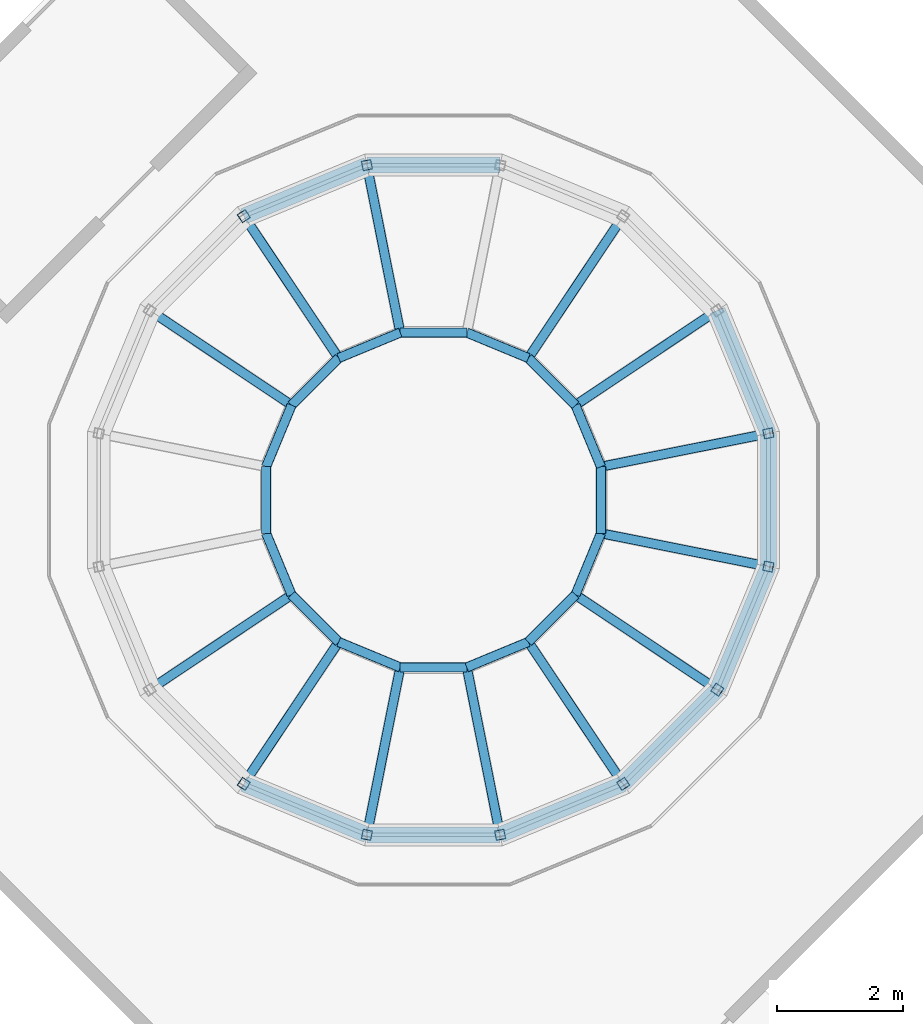
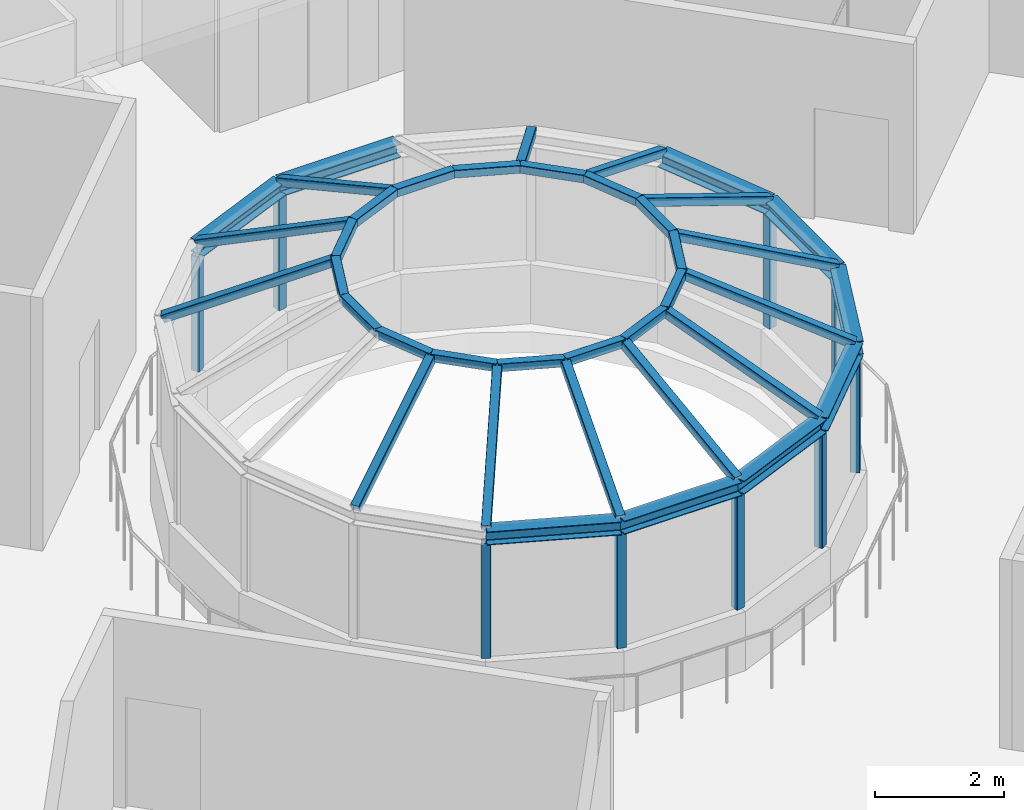
# One storey, part 8 of 32: 47 members, 16 elements without a shape of their own.
"""IFC4 building model written with IfcOpenShell, lengths in metres."""

from ifc_helpers import new_model, si_unit, direction, frame, origin, origin_2d, place, context, subcontext, project, spatial, hollow_rectangle, i_section, extrude, material, layer, layer_set, material_profile, profile_set, type_object, element, aggregate, save


model = new_model("IFC4")

# Units and contexts
model_context = context("Model", 3, precision=1e-05, world=origin(), true_north=direction((0.0, 1.0)))
body_context = subcontext(model_context, "Body", "Model", "MODEL_VIEW")
ifc_project = project(units=[si_unit("LENGTHUNIT", "METRE"), si_unit("AREAUNIT", "SQUARE_METRE"), si_unit("VOLUMEUNIT", "CUBIC_METRE"), si_unit("PLANEANGLEUNIT", "RADIAN"), si_unit("MASSUNIT", "GRAM", prefix="KILO")], contexts=[model_context])

# Site, building, storey
site_placement = place(None, origin())
site = spatial("IfcSite", under=ifc_project, at=site_placement, CompositionType="ELEMENT")
building_placement = place(site_placement, origin())
building = spatial("IfcBuilding", under=site, at=building_placement, Name="Verdalira Terraces Hotel", CompositionType="ELEMENT")
storey_placement = place(building_placement, frame((0.0, 0.0, 315.0)))
storey = spatial("IfcBuildingStorey", under=building, at=storey_placement, Name="L78", CompositionType="ELEMENT", Elevation=315.0)

# Curtain wall, member
ifc_material_1 = material(Name="Clear laminated glass", Category="glass")
ifc_layer = layer(ifc_material_1, 0.14990234375)
ifc_layer_set = layer_set([ifc_layer], Name="Atrium lantern curtain wall")
curtain_wall_type = type_object("IfcCurtainWallType", Name="Atrium lantern curtain wall", PredefinedType="NOTDEFINED", material=ifc_layer_set)
curtain_wall_1_placement = place(storey_placement, origin())
curtain_wall_1 = element("IfcCurtainWall", 1, at=curtain_wall_1_placement, inside=storey, type_object=curtain_wall_type, Name="Atrium lantern curtain wall facet 1", PredefinedType="NOTDEFINED")
ifc_material_2 = material(Name="Steel ASTM A500 Grade C", Category="steel")
ifc_material_profile_1 = material_profile(ifc_material_2, hollow_rectangle(XDim=0.15234375, YDim=0.15234375, WallThickness=0.005859375, InnerFilletRadius=0.0029296875, OuterFilletRadius=0.0087890625, at=origin_2d()), Name="HSS6X6X1/4")
ifc_profile_set_1 = profile_set([ifc_material_profile_1], Name="Steel ASTM A500 Grade C")
member_type_1 = type_object("IfcMemberType", Name="Lantern apex ring HSS6X6X1/4", PredefinedType="USERDEFINED", material=ifc_profile_set_1)
member_1_placement = place(storey_placement, frame((2.648193, 0.526611, 4.740234), z_axis=(-0.38259057, 0.923917992, 0.0), x_axis=(-0.923917992, -0.38259057, 0.0)))
member_1 = element("IfcMember", 2, at=member_1_placement, type_object=member_type_1, Name="Lantern apex ring LA01", ObjectType="TRANSOM", PredefinedType="USERDEFINED", context=body_context, shape_type="SweptSolid", body=[
    extrude(hollow_rectangle(XDim=0.15234375, YDim=0.15234375, WallThickness=0.005859375, InnerFilletRadius=0.0029296875, OuterFilletRadius=0.0087890625, at=origin_2d()), origin(), (0.0, 0.0, 1.0), 1.053467),
])

curtain_wall_2_placement = place(storey_placement, origin())
curtain_wall_2 = element("IfcCurtainWall", 3, at=curtain_wall_2_placement, inside=storey, type_object=curtain_wall_type, Name="Atrium lantern curtain wall facet 2", PredefinedType="NOTDEFINED")
member_2_placement = place(storey_placement, frame((2.245117, 1.5, 4.740234), z_axis=(-0.707106781, 0.707106781, 0.0), x_axis=(-0.707106781, -0.707106781, 0.0)))
member_2 = element("IfcMember", 4, at=member_2_placement, type_object=member_type_1, Name="Lantern apex ring LA02", ObjectType="TRANSOM", PredefinedType="USERDEFINED", context=body_context, shape_type="SweptSolid", body=[
    extrude(hollow_rectangle(XDim=0.15234375, YDim=0.15234375, WallThickness=0.005859375, InnerFilletRadius=0.0029296875, OuterFilletRadius=0.0087890625, at=origin_2d()), origin(), (0.0, 0.0, 1.0), 1.053711),
])

curtain_wall_3_placement = place(storey_placement, origin())
curtain_wall_3 = element("IfcCurtainWall", 5, at=curtain_wall_3_placement, inside=storey, type_object=curtain_wall_type, Name="Atrium lantern curtain wall facet 3", PredefinedType="NOTDEFINED")
member_3_placement = place(storey_placement, frame((1.5, 2.245117, 4.740234), z_axis=(-0.923917992, 0.38259057, 0.0), x_axis=(-0.38259057, -0.923917992, 0.0)))
member_3 = element("IfcMember", 6, at=member_3_placement, type_object=member_type_1, Name="Lantern apex ring LA03", ObjectType="TRANSOM", PredefinedType="USERDEFINED", context=body_context, shape_type="SweptSolid", body=[
    extrude(hollow_rectangle(XDim=0.15234375, YDim=0.15234375, WallThickness=0.005859375, InnerFilletRadius=0.0029296875, OuterFilletRadius=0.0087890625, at=origin_2d()), origin(), (0.0, 0.0, 1.0), 1.053467),
])

curtain_wall_4_placement = place(storey_placement, origin())
curtain_wall_4 = element("IfcCurtainWall", 7, at=curtain_wall_4_placement, inside=storey, type_object=curtain_wall_type, Name="Atrium lantern curtain wall facet 4", PredefinedType="NOTDEFINED")
member_4_placement = place(storey_placement, frame((0.526611, 2.648193, 4.740234), z_axis=(-1.0, 0.0, 0.0), x_axis=(0.0, -1.0, 0.0)))
member_4 = element("IfcMember", 8, at=member_4_placement, type_object=member_type_1, Name="Lantern apex ring LA04", ObjectType="TRANSOM", PredefinedType="USERDEFINED", context=body_context, shape_type="SweptSolid", body=[
    extrude(hollow_rectangle(XDim=0.15234375, YDim=0.15234375, WallThickness=0.005859375, InnerFilletRadius=0.0029296875, OuterFilletRadius=0.0087890625, at=origin_2d()), origin(), (0.0, 0.0, 1.0), 1.053223),
])

curtain_wall_5_placement = place(storey_placement, origin())
curtain_wall_5 = element("IfcCurtainWall", 9, at=curtain_wall_5_placement, inside=storey, type_object=curtain_wall_type, Name="Atrium lantern curtain wall facet 5", PredefinedType="NOTDEFINED")
member_5_placement = place(storey_placement, frame((-0.526611, 2.648193, 4.740234), z_axis=(-0.923917992, -0.38259057, 0.0), x_axis=(0.38259057, -0.923917992, 0.0)))
member_5 = element("IfcMember", 10, at=member_5_placement, type_object=member_type_1, Name="Lantern apex ring LA05", ObjectType="TRANSOM", PredefinedType="USERDEFINED", context=body_context, shape_type="SweptSolid", body=[
    extrude(hollow_rectangle(XDim=0.15234375, YDim=0.15234375, WallThickness=0.005859375, InnerFilletRadius=0.0029296875, OuterFilletRadius=0.0087890625, at=origin_2d()), origin(), (0.0, 0.0, 1.0), 1.053467),
])

curtain_wall_6_placement = place(storey_placement, origin())
curtain_wall_6 = element("IfcCurtainWall", 11, at=curtain_wall_6_placement, inside=storey, type_object=curtain_wall_type, Name="Atrium lantern curtain wall facet 6", PredefinedType="NOTDEFINED")
member_6_placement = place(storey_placement, frame((-1.5, 2.245117, 4.740234), z_axis=(-0.707106781, -0.707106781, 0.0), x_axis=(0.707106781, -0.707106781, 0.0)))
member_6 = element("IfcMember", 12, at=member_6_placement, type_object=member_type_1, Name="Lantern apex ring LA06", ObjectType="TRANSOM", PredefinedType="USERDEFINED", context=body_context, shape_type="SweptSolid", body=[
    extrude(hollow_rectangle(XDim=0.15234375, YDim=0.15234375, WallThickness=0.005859375, InnerFilletRadius=0.0029296875, OuterFilletRadius=0.0087890625, at=origin_2d()), origin(), (0.0, 0.0, 1.0), 1.053711),
])

curtain_wall_7_placement = place(storey_placement, origin())
curtain_wall_7 = element("IfcCurtainWall", 13, at=curtain_wall_7_placement, inside=storey, type_object=curtain_wall_type, Name="Atrium lantern curtain wall facet 7", PredefinedType="NOTDEFINED")
member_7_placement = place(storey_placement, frame((-2.245117, 1.5, 4.740234), z_axis=(-0.38259057, -0.923917992, 0.0), x_axis=(0.923917992, -0.38259057, 0.0)))
member_7 = element("IfcMember", 14, at=member_7_placement, type_object=member_type_1, Name="Lantern apex ring LA07", ObjectType="TRANSOM", PredefinedType="USERDEFINED", context=body_context, shape_type="SweptSolid", body=[
    extrude(hollow_rectangle(XDim=0.15234375, YDim=0.15234375, WallThickness=0.005859375, InnerFilletRadius=0.0029296875, OuterFilletRadius=0.0087890625, at=origin_2d()), origin(), (0.0, 0.0, 1.0), 1.053467),
])

curtain_wall_8_placement = place(storey_placement, origin())
curtain_wall_8 = element("IfcCurtainWall", 15, at=curtain_wall_8_placement, inside=storey, type_object=curtain_wall_type, Name="Atrium lantern curtain wall facet 8", PredefinedType="NOTDEFINED")
member_8_placement = place(storey_placement, frame((-2.648193, 0.526611, 4.740234), z_axis=(0.0, -1.0, 0.0), x_axis=(1.0, 0.0, 0.0)))
member_8 = element("IfcMember", 16, at=member_8_placement, type_object=member_type_1, Name="Lantern apex ring LA08", ObjectType="TRANSOM", PredefinedType="USERDEFINED", context=body_context, shape_type="SweptSolid", body=[
    extrude(hollow_rectangle(XDim=0.15234375, YDim=0.15234375, WallThickness=0.005859375, InnerFilletRadius=0.0029296875, OuterFilletRadius=0.0087890625, at=origin_2d()), origin(), (0.0, 0.0, 1.0), 1.053223),
])
aggregate(curtain_wall_8, [member_8])

curtain_wall_9_placement = place(storey_placement, origin())
curtain_wall_9 = element("IfcCurtainWall", 17, at=curtain_wall_9_placement, inside=storey, type_object=curtain_wall_type, Name="Atrium lantern curtain wall facet 9", PredefinedType="NOTDEFINED")
member_9_placement = place(storey_placement, frame((-2.648193, -0.526611, 4.740234), z_axis=(0.38259057, -0.923917992, 0.0), x_axis=(0.923917992, 0.38259057, 0.0)))
member_9 = element("IfcMember", 18, at=member_9_placement, type_object=member_type_1, Name="Lantern apex ring LA09", ObjectType="TRANSOM", PredefinedType="USERDEFINED", context=body_context, shape_type="SweptSolid", body=[
    extrude(hollow_rectangle(XDim=0.15234375, YDim=0.15234375, WallThickness=0.005859375, InnerFilletRadius=0.0029296875, OuterFilletRadius=0.0087890625, at=origin_2d()), origin(), (0.0, 0.0, 1.0), 1.053467),
])
aggregate(curtain_wall_9, [member_9])

curtain_wall_10_placement = place(storey_placement, origin())
curtain_wall_10 = element("IfcCurtainWall", 19, at=curtain_wall_10_placement, inside=storey, type_object=curtain_wall_type, Name="Atrium lantern curtain wall facet 10", PredefinedType="NOTDEFINED")
member_10_placement = place(storey_placement, frame((-2.245117, -1.5, 4.740234), z_axis=(0.707106781, -0.707106781, 0.0), x_axis=(0.707106781, 0.707106781, 0.0)))
member_10 = element("IfcMember", 20, at=member_10_placement, type_object=member_type_1, Name="Lantern apex ring LA10", ObjectType="TRANSOM", PredefinedType="USERDEFINED", context=body_context, shape_type="SweptSolid", body=[
    extrude(hollow_rectangle(XDim=0.15234375, YDim=0.15234375, WallThickness=0.005859375, InnerFilletRadius=0.0029296875, OuterFilletRadius=0.0087890625, at=origin_2d()), origin(), (0.0, 0.0, 1.0), 1.053711),
])

curtain_wall_11_placement = place(storey_placement, origin())
curtain_wall_11 = element("IfcCurtainWall", 21, at=curtain_wall_11_placement, inside=storey, type_object=curtain_wall_type, Name="Atrium lantern curtain wall facet 11", PredefinedType="NOTDEFINED")
member_11_placement = place(storey_placement, frame((-1.5, -2.245117, 4.740234), z_axis=(0.923917992, -0.38259057, 0.0), x_axis=(0.38259057, 0.923917992, 0.0)))
member_11 = element("IfcMember", 22, at=member_11_placement, type_object=member_type_1, Name="Lantern apex ring LA11", ObjectType="TRANSOM", PredefinedType="USERDEFINED", context=body_context, shape_type="SweptSolid", body=[
    extrude(hollow_rectangle(XDim=0.15234375, YDim=0.15234375, WallThickness=0.005859375, InnerFilletRadius=0.0029296875, OuterFilletRadius=0.0087890625, at=origin_2d()), origin(), (0.0, 0.0, 1.0), 1.053467),
])

curtain_wall_12_placement = place(storey_placement, origin())
curtain_wall_12 = element("IfcCurtainWall", 23, at=curtain_wall_12_placement, inside=storey, type_object=curtain_wall_type, Name="Atrium lantern curtain wall facet 12", PredefinedType="NOTDEFINED")
member_12_placement = place(storey_placement, frame((-0.526611, -2.648193, 4.740234), z_axis=(1.0, 0.0, 0.0), x_axis=(0.0, 1.0, 0.0)))
member_12 = element("IfcMember", 24, at=member_12_placement, type_object=member_type_1, Name="Lantern apex ring LA12", ObjectType="TRANSOM", PredefinedType="USERDEFINED", context=body_context, shape_type="SweptSolid", body=[
    extrude(hollow_rectangle(XDim=0.15234375, YDim=0.15234375, WallThickness=0.005859375, InnerFilletRadius=0.0029296875, OuterFilletRadius=0.0087890625, at=origin_2d()), origin(), (0.0, 0.0, 1.0), 1.053223),
])

curtain_wall_13_placement = place(storey_placement, origin())
curtain_wall_13 = element("IfcCurtainWall", 25, at=curtain_wall_13_placement, inside=storey, type_object=curtain_wall_type, Name="Atrium lantern curtain wall facet 13", PredefinedType="NOTDEFINED")
member_13_placement = place(storey_placement, frame((0.526611, -2.648193, 4.740234), z_axis=(0.923917992, 0.38259057, 0.0), x_axis=(-0.38259057, 0.923917992, 0.0)))
member_13 = element("IfcMember", 26, at=member_13_placement, type_object=member_type_1, Name="Lantern apex ring LA13", ObjectType="TRANSOM", PredefinedType="USERDEFINED", context=body_context, shape_type="SweptSolid", body=[
    extrude(hollow_rectangle(XDim=0.15234375, YDim=0.15234375, WallThickness=0.005859375, InnerFilletRadius=0.0029296875, OuterFilletRadius=0.0087890625, at=origin_2d()), origin(), (0.0, 0.0, 1.0), 1.053467),
])

curtain_wall_14_placement = place(storey_placement, origin())
curtain_wall_14 = element("IfcCurtainWall", 27, at=curtain_wall_14_placement, inside=storey, type_object=curtain_wall_type, Name="Atrium lantern curtain wall facet 14", PredefinedType="NOTDEFINED")
member_14_placement = place(storey_placement, frame((1.5, -2.245117, 4.740234), z_axis=(0.707106781, 0.707106781, 0.0), x_axis=(-0.707106781, 0.707106781, 0.0)))
member_14 = element("IfcMember", 28, at=member_14_placement, type_object=member_type_1, Name="Lantern apex ring LA14", ObjectType="TRANSOM", PredefinedType="USERDEFINED", context=body_context, shape_type="SweptSolid", body=[
    extrude(hollow_rectangle(XDim=0.15234375, YDim=0.15234375, WallThickness=0.005859375, InnerFilletRadius=0.0029296875, OuterFilletRadius=0.0087890625, at=origin_2d()), origin(), (0.0, 0.0, 1.0), 1.053711),
])

curtain_wall_15_placement = place(storey_placement, origin())
curtain_wall_15 = element("IfcCurtainWall", 29, at=curtain_wall_15_placement, inside=storey, type_object=curtain_wall_type, Name="Atrium lantern curtain wall facet 15", PredefinedType="NOTDEFINED")
member_15_placement = place(storey_placement, frame((2.245117, -1.5, 4.740234), z_axis=(0.38259057, 0.923917992, 0.0), x_axis=(-0.923917992, 0.38259057, 0.0)))
member_15 = element("IfcMember", 30, at=member_15_placement, type_object=member_type_1, Name="Lantern apex ring LA15", ObjectType="TRANSOM", PredefinedType="USERDEFINED", context=body_context, shape_type="SweptSolid", body=[
    extrude(hollow_rectangle(XDim=0.15234375, YDim=0.15234375, WallThickness=0.005859375, InnerFilletRadius=0.0029296875, OuterFilletRadius=0.0087890625, at=origin_2d()), origin(), (0.0, 0.0, 1.0), 1.053467),
])

curtain_wall_16_placement = place(storey_placement, origin())
curtain_wall_16 = element("IfcCurtainWall", 31, at=curtain_wall_16_placement, inside=storey, type_object=curtain_wall_type, Name="Atrium lantern curtain wall facet 16", PredefinedType="NOTDEFINED")
member_16_placement = place(storey_placement, frame((2.648193, -0.526611, 4.740234), z_axis=(0.0, 1.0, 0.0), x_axis=(-1.0, 0.0, 0.0)))
member_16 = element("IfcMember", 32, at=member_16_placement, type_object=member_type_1, Name="Lantern apex ring LA16", ObjectType="TRANSOM", PredefinedType="USERDEFINED", context=body_context, shape_type="SweptSolid", body=[
    extrude(hollow_rectangle(XDim=0.15234375, YDim=0.15234375, WallThickness=0.005859375, InnerFilletRadius=0.0029296875, OuterFilletRadius=0.0087890625, at=origin_2d()), origin(), (0.0, 0.0, 1.0), 1.053223),
])

# Member
ifc_material_3 = material(Name="Steel ASTM A992 Grade 50", Category="steel")
ifc_material_profile_2 = material_profile(ifc_material_3, i_section(OverallWidth=0.253906, OverallDepth=0.253906, WebThickness=0.008545, FlangeThickness=0.01416, FilletRadius=0.012695, at=origin_2d()), Name="W10X49")
ifc_profile_set_2 = profile_set([ifc_material_profile_2], Name="Steel ASTM A992 Grade 50")
member_type_2 = type_object("IfcMemberType", Name="Lantern head transom W10X49", PredefinedType="USERDEFINED", material=ifc_profile_set_2)
member_17_placement = place(storey_placement, frame((5.296143, 1.053467, 3.427002), z_axis=(-0.382631531, 0.923901029, 0.0), x_axis=(-0.923901029, -0.382631531, 0.0)))
member_17 = element("IfcMember", 33, at=member_17_placement, type_object=member_type_2, Name="Lantern head transom LR01", ObjectType="TRANSOM", PredefinedType="USERDEFINED", context=body_context, shape_type="SweptSolid", body=[
    extrude(i_section(OverallWidth=0.253906, OverallDepth=0.253906, WebThickness=0.008545, FlangeThickness=0.01416, FilletRadius=0.012695, at=origin_2d()), origin(), (0.0, 0.0, 1.0), 2.106934),
])

member_18_placement = place(storey_placement, frame((1.053467, 5.296143, 3.427002), z_axis=(-1.0, 0.0, 0.0), x_axis=(0.0, -1.0, 0.0)))
member_18 = element("IfcMember", 34, at=member_18_placement, type_object=member_type_2, Name="Lantern head transom LR04", ObjectType="TRANSOM", PredefinedType="USERDEFINED", context=body_context, shape_type="SweptSolid", body=[
    extrude(i_section(OverallWidth=0.253906, OverallDepth=0.253906, WebThickness=0.008545, FlangeThickness=0.01416, FilletRadius=0.012695, at=origin_2d()), origin(), (0.0, 0.0, 1.0), 2.106934),
])

aggregate(curtain_wall_4, [member_18, member_4])

member_19_placement = place(storey_placement, frame((-1.053467, 5.296143, 3.427002), z_axis=(-0.923901029, -0.382631531, 0.0), x_axis=(0.382631531, -0.923901029, 0.0)))
member_19 = element("IfcMember", 35, at=member_19_placement, type_object=member_type_2, Name="Lantern head transom LR05", ObjectType="TRANSOM", PredefinedType="USERDEFINED", context=body_context, shape_type="SweptSolid", body=[
    extrude(i_section(OverallWidth=0.253906, OverallDepth=0.253906, WebThickness=0.008545, FlangeThickness=0.01416, FilletRadius=0.012695, at=origin_2d()), origin(), (0.0, 0.0, 1.0), 2.106934),
])

member_20_placement = place(storey_placement, frame((-3.0, -4.48999, 3.427002), z_axis=(0.923901029, -0.382631531, 0.0), x_axis=(0.382631531, 0.923901029, 0.0)))
member_20 = element("IfcMember", 36, at=member_20_placement, type_object=member_type_2, Name="Lantern head transom LR11", ObjectType="TRANSOM", PredefinedType="USERDEFINED", context=body_context, shape_type="SweptSolid", body=[
    extrude(i_section(OverallWidth=0.253906, OverallDepth=0.253906, WebThickness=0.008545, FlangeThickness=0.01416, FilletRadius=0.012695, at=origin_2d()), origin(), (0.0, 0.0, 1.0), 2.106934),
])

member_21_placement = place(storey_placement, frame((-1.053467, -5.296143, 3.427002), z_axis=(1.0, 0.0, 0.0), x_axis=(0.0, 1.0, 0.0)))
member_21 = element("IfcMember", 37, at=member_21_placement, type_object=member_type_2, Name="Lantern head transom LR12", ObjectType="TRANSOM", PredefinedType="USERDEFINED", context=body_context, shape_type="SweptSolid", body=[
    extrude(i_section(OverallWidth=0.253906, OverallDepth=0.253906, WebThickness=0.008545, FlangeThickness=0.01416, FilletRadius=0.012695, at=origin_2d()), origin(), (0.0, 0.0, 1.0), 2.106934),
])

member_22_placement = place(storey_placement, frame((1.053467, -5.296143, 3.427002), z_axis=(0.923901029, 0.382631531, 0.0), x_axis=(-0.382631531, 0.923901029, 0.0)))
member_22 = element("IfcMember", 38, at=member_22_placement, type_object=member_type_2, Name="Lantern head transom LR13", ObjectType="TRANSOM", PredefinedType="USERDEFINED", context=body_context, shape_type="SweptSolid", body=[
    extrude(i_section(OverallWidth=0.253906, OverallDepth=0.253906, WebThickness=0.008545, FlangeThickness=0.01416, FilletRadius=0.012695, at=origin_2d()), origin(), (0.0, 0.0, 1.0), 2.106934),
])

member_23_placement = place(storey_placement, frame((3.0, -4.48999, 3.427002), z_axis=(0.707106781, 0.707106781, 0.0), x_axis=(-0.707106781, 0.707106781, 0.0)))
member_23 = element("IfcMember", 39, at=member_23_placement, type_object=member_type_2, Name="Lantern head transom LR14", ObjectType="TRANSOM", PredefinedType="USERDEFINED", context=body_context, shape_type="SweptSolid", body=[
    extrude(i_section(OverallWidth=0.253906, OverallDepth=0.253906, WebThickness=0.008545, FlangeThickness=0.01416, FilletRadius=0.012695, at=origin_2d()), origin(), (0.0, 0.0, 1.0), 2.107178),
])

member_24_placement = place(storey_placement, frame((4.48999, -3.0, 3.427002), z_axis=(0.382631531, 0.923901029, 0.0), x_axis=(-0.923901029, 0.382631531, 0.0)))
member_24 = element("IfcMember", 40, at=member_24_placement, type_object=member_type_2, Name="Lantern head transom LR15", ObjectType="TRANSOM", PredefinedType="USERDEFINED", context=body_context, shape_type="SweptSolid", body=[
    extrude(i_section(OverallWidth=0.253906, OverallDepth=0.253906, WebThickness=0.008545, FlangeThickness=0.01416, FilletRadius=0.012695, at=origin_2d()), origin(), (0.0, 0.0, 1.0), 2.106934),
])

member_25_placement = place(storey_placement, frame((5.296143, -1.053467, 3.427002), z_axis=(0.0, 1.0, 0.0), x_axis=(-1.0, 0.0, 0.0)))
member_25 = element("IfcMember", 41, at=member_25_placement, type_object=member_type_2, Name="Lantern head transom LR16", ObjectType="TRANSOM", PredefinedType="USERDEFINED", context=body_context, shape_type="SweptSolid", body=[
    extrude(i_section(OverallWidth=0.253906, OverallDepth=0.253906, WebThickness=0.008545, FlangeThickness=0.01416, FilletRadius=0.012695, at=origin_2d()), origin(), (0.0, 0.0, 1.0), 2.106934),
])

ifc_material_4 = material(Name="Steel ASTM A500 Grade C", Category="steel")
ifc_material_profile_3 = material_profile(ifc_material_4, hollow_rectangle(XDim=0.15234375, YDim=0.15234375, WallThickness=0.005859375, InnerFilletRadius=0.0029296875, OuterFilletRadius=0.0087890625, at=origin_2d()), Name="HSS6X6X1/4")
ifc_profile_set_3 = profile_set([ifc_material_profile_3], Name="Steel ASTM A500 Grade C")
member_type_3 = type_object("IfcMemberType", Name="Lantern hip bar HSS6X6X1/4", PredefinedType="USERDEFINED", material=ifc_profile_set_3)
member_26_placement = place(storey_placement, frame((5.2854, 1.051514, 3.531494), z_axis=(-0.894537287, -0.178046211, 0.410003158), x_axis=(0.195208106, -0.980761844, 0.0)))
member_26 = element("IfcMember", 42, at=member_26_placement, type_object=member_type_3, Name="Lantern hip bar LH01", ObjectType="GLAZING BAR", PredefinedType="USERDEFINED", context=body_context, shape_type="SweptSolid", body=[
    extrude(hollow_rectangle(XDim=0.15234375, YDim=0.15234375, WallThickness=0.005859375, InnerFilletRadius=0.0029296875, OuterFilletRadius=0.0087890625, at=origin_2d()), origin(), (0.0, 0.0, 1.0), 2.948242),
])

member_27_placement = place(storey_placement, frame((4.480713, 2.993896, 3.531494), z_axis=(-0.758344762, -0.506750202, 0.410021286), x_axis=(0.555600879, -0.831449134, 0.0)))
member_27 = element("IfcMember", 43, at=member_27_placement, type_object=member_type_3, Name="Lantern hip bar LH02", ObjectType="GLAZING BAR", PredefinedType="USERDEFINED", context=body_context, shape_type="SweptSolid", body=[
    extrude(hollow_rectangle(XDim=0.15234375, YDim=0.15234375, WallThickness=0.005859375, InnerFilletRadius=0.0029296875, OuterFilletRadius=0.0087890625, at=origin_2d()), origin(), (0.0, 0.0, 1.0), 2.947998),
])

aggregate(curtain_wall_2, [member_27, member_2])

member_28_placement = place(storey_placement, frame((2.993896, 4.480713, 3.531494), z_axis=(-0.506750202, -0.758344762, 0.410021286), x_axis=(0.831449134, -0.555600879, 0.0)))
member_28 = element("IfcMember", 44, at=member_28_placement, type_object=member_type_3, Name="Lantern hip bar LH03", ObjectType="GLAZING BAR", PredefinedType="USERDEFINED", context=body_context, shape_type="SweptSolid", body=[
    extrude(hollow_rectangle(XDim=0.15234375, YDim=0.15234375, WallThickness=0.005859375, InnerFilletRadius=0.0029296875, OuterFilletRadius=0.0087890625, at=origin_2d()), origin(), (0.0, 0.0, 1.0), 2.947998),
])

aggregate(curtain_wall_3, [member_28, member_3])

member_29_placement = place(storey_placement, frame((-1.051514, 5.2854, 3.531494), z_axis=(0.178046211, -0.894537287, 0.410003158), x_axis=(0.980761844, 0.195208106, 0.0)))
member_29 = element("IfcMember", 45, at=member_29_placement, type_object=member_type_3, Name="Lantern hip bar LH05", ObjectType="GLAZING BAR", PredefinedType="USERDEFINED", context=body_context, shape_type="SweptSolid", body=[
    extrude(hollow_rectangle(XDim=0.15234375, YDim=0.15234375, WallThickness=0.005859375, InnerFilletRadius=0.0029296875, OuterFilletRadius=0.0087890625, at=origin_2d()), origin(), (0.0, 0.0, 1.0), 2.948242),
])

member_30_placement = place(storey_placement, frame((-2.993896, 4.480713, 3.531494), z_axis=(0.506750202, -0.758344762, 0.410021286), x_axis=(0.831449134, 0.555600879, 0.0)))
member_30 = element("IfcMember", 46, at=member_30_placement, type_object=member_type_3, Name="Lantern hip bar LH06", ObjectType="GLAZING BAR", PredefinedType="USERDEFINED", context=body_context, shape_type="SweptSolid", body=[
    extrude(hollow_rectangle(XDim=0.15234375, YDim=0.15234375, WallThickness=0.005859375, InnerFilletRadius=0.0029296875, OuterFilletRadius=0.0087890625, at=origin_2d()), origin(), (0.0, 0.0, 1.0), 2.947998),
])

member_31_placement = place(storey_placement, frame((-4.480713, 2.993896, 3.531494), z_axis=(0.758344762, -0.506750202, 0.410021286), x_axis=(0.555600879, 0.831449134, 0.0)))
member_31 = element("IfcMember", 47, at=member_31_placement, type_object=member_type_3, Name="Lantern hip bar LH07", ObjectType="GLAZING BAR", PredefinedType="USERDEFINED", context=body_context, shape_type="SweptSolid", body=[
    extrude(hollow_rectangle(XDim=0.15234375, YDim=0.15234375, WallThickness=0.005859375, InnerFilletRadius=0.0029296875, OuterFilletRadius=0.0087890625, at=origin_2d()), origin(), (0.0, 0.0, 1.0), 2.947998),
])

aggregate(curtain_wall_7, [member_31, member_7])

member_32_placement = place(storey_placement, frame((-4.480713, -2.993896, 3.531494), z_axis=(0.758344762, 0.506750202, 0.410021286), x_axis=(-0.555600879, 0.831449134, 0.0)))
member_32 = element("IfcMember", 48, at=member_32_placement, type_object=member_type_3, Name="Lantern hip bar LH10", ObjectType="GLAZING BAR", PredefinedType="USERDEFINED", context=body_context, shape_type="SweptSolid", body=[
    extrude(hollow_rectangle(XDim=0.15234375, YDim=0.15234375, WallThickness=0.005859375, InnerFilletRadius=0.0029296875, OuterFilletRadius=0.0087890625, at=origin_2d()), origin(), (0.0, 0.0, 1.0), 2.947998),
])

aggregate(curtain_wall_10, [member_32, member_10])

member_33_placement = place(storey_placement, frame((-2.993896, -4.480713, 3.531494), z_axis=(0.506750202, 0.758344762, 0.410021286), x_axis=(-0.831449134, 0.555600879, 0.0)))
member_33 = element("IfcMember", 49, at=member_33_placement, type_object=member_type_3, Name="Lantern hip bar LH11", ObjectType="GLAZING BAR", PredefinedType="USERDEFINED", context=body_context, shape_type="SweptSolid", body=[
    extrude(hollow_rectangle(XDim=0.15234375, YDim=0.15234375, WallThickness=0.005859375, InnerFilletRadius=0.0029296875, OuterFilletRadius=0.0087890625, at=origin_2d()), origin(), (0.0, 0.0, 1.0), 2.947998),
])

member_34_placement = place(storey_placement, frame((-1.051514, -5.2854, 3.531494), z_axis=(0.178046211, 0.894537287, 0.410003158), x_axis=(-0.980761844, 0.195208106, 0.0)))
member_34 = element("IfcMember", 50, at=member_34_placement, type_object=member_type_3, Name="Lantern hip bar LH12", ObjectType="GLAZING BAR", PredefinedType="USERDEFINED", context=body_context, shape_type="SweptSolid", body=[
    extrude(hollow_rectangle(XDim=0.15234375, YDim=0.15234375, WallThickness=0.005859375, InnerFilletRadius=0.0029296875, OuterFilletRadius=0.0087890625, at=origin_2d()), origin(), (0.0, 0.0, 1.0), 2.948242),
])

member_35_placement = place(storey_placement, frame((1.051514, -5.2854, 3.531494), z_axis=(-0.178046211, 0.894537287, 0.410003158), x_axis=(-0.980761844, -0.195208106, 0.0)))
member_35 = element("IfcMember", 51, at=member_35_placement, type_object=member_type_3, Name="Lantern hip bar LH13", ObjectType="GLAZING BAR", PredefinedType="USERDEFINED", context=body_context, shape_type="SweptSolid", body=[
    extrude(hollow_rectangle(XDim=0.15234375, YDim=0.15234375, WallThickness=0.005859375, InnerFilletRadius=0.0029296875, OuterFilletRadius=0.0087890625, at=origin_2d()), origin(), (0.0, 0.0, 1.0), 2.948242),
])

member_36_placement = place(storey_placement, frame((2.993896, -4.480713, 3.531494), z_axis=(-0.506750202, 0.758344762, 0.410021286), x_axis=(-0.831449134, -0.555600879, 0.0)))
member_36 = element("IfcMember", 52, at=member_36_placement, type_object=member_type_3, Name="Lantern hip bar LH14", ObjectType="GLAZING BAR", PredefinedType="USERDEFINED", context=body_context, shape_type="SweptSolid", body=[
    extrude(hollow_rectangle(XDim=0.15234375, YDim=0.15234375, WallThickness=0.005859375, InnerFilletRadius=0.0029296875, OuterFilletRadius=0.0087890625, at=origin_2d()), origin(), (0.0, 0.0, 1.0), 2.947998),
])

member_37_placement = place(storey_placement, frame((4.480713, -2.993896, 3.531494), z_axis=(-0.758344762, 0.506750202, 0.410021286), x_axis=(-0.555600879, -0.831449134, 0.0)))
member_37 = element("IfcMember", 53, at=member_37_placement, type_object=member_type_3, Name="Lantern hip bar LH15", ObjectType="GLAZING BAR", PredefinedType="USERDEFINED", context=body_context, shape_type="SweptSolid", body=[
    extrude(hollow_rectangle(XDim=0.15234375, YDim=0.15234375, WallThickness=0.005859375, InnerFilletRadius=0.0029296875, OuterFilletRadius=0.0087890625, at=origin_2d()), origin(), (0.0, 0.0, 1.0), 2.947998),
])

member_38_placement = place(storey_placement, frame((5.2854, -1.051514, 3.531494), z_axis=(-0.894537287, 0.178046211, 0.410003158), x_axis=(-0.195208106, -0.980761844, 0.0)))
member_38 = element("IfcMember", 54, at=member_38_placement, type_object=member_type_3, Name="Lantern hip bar LH16", ObjectType="GLAZING BAR", PredefinedType="USERDEFINED", context=body_context, shape_type="SweptSolid", body=[
    extrude(hollow_rectangle(XDim=0.15234375, YDim=0.15234375, WallThickness=0.005859375, InnerFilletRadius=0.0029296875, OuterFilletRadius=0.0087890625, at=origin_2d()), origin(), (0.0, 0.0, 1.0), 2.948242),
])

ifc_material_5 = material(Name="Steel ASTM A500 Grade C", Category="steel")
ifc_material_profile_4 = material_profile(ifc_material_5, hollow_rectangle(XDim=0.15234375, YDim=0.15234375, WallThickness=0.005859375, InnerFilletRadius=0.0029296875, OuterFilletRadius=0.0087890625, at=origin_2d()), Name="HSS6X6X1/4")
ifc_profile_set_4 = profile_set([ifc_material_profile_4], Name="Steel ASTM A500 Grade C")
member_type_4 = type_object("IfcMemberType", Name="Lantern mullion HSS6X6X1/4", PredefinedType="MULLION", material=ifc_profile_set_4)
member_39_placement = place(storey_placement, frame((5.296143, 1.053467, 1.119385), z_axis=(0.0, 0.0, 1.0), x_axis=(0.98078528, 0.195090322, 0.0)))
member_39 = element("IfcMember", 55, at=member_39_placement, type_object=member_type_4, Name="Lantern mullion LM01", PredefinedType="MULLION", context=body_context, shape_type="SweptSolid", body=[
    extrude(hollow_rectangle(XDim=0.15234375, YDim=0.15234375, WallThickness=0.005859375, InnerFilletRadius=0.0029296875, OuterFilletRadius=0.0087890625, at=origin_2d()), origin(), (0.0, 0.0, 1.0), 2.181152),
])

aggregate(curtain_wall_1, [member_39, member_17, member_26, member_1])

member_40_placement = place(storey_placement, frame((-1.053467, 5.296143, 1.119385), z_axis=(0.0, 0.0, 1.0), x_axis=(-0.195090322, 0.98078528, 0.0)))
member_40 = element("IfcMember", 56, at=member_40_placement, type_object=member_type_4, Name="Lantern mullion LM05", PredefinedType="MULLION", context=body_context, shape_type="SweptSolid", body=[
    extrude(hollow_rectangle(XDim=0.15234375, YDim=0.15234375, WallThickness=0.005859375, InnerFilletRadius=0.0029296875, OuterFilletRadius=0.0087890625, at=origin_2d()), origin(), (0.0, 0.0, 1.0), 2.181152),
])

aggregate(curtain_wall_5, [member_40, member_19, member_29, member_5])

member_41_placement = place(storey_placement, frame((-3.0, 4.48999, 1.119385), z_axis=(0.0, 0.0, 1.0), x_axis=(-0.555570233, 0.831469612, 0.0)))
member_41 = element("IfcMember", 57, at=member_41_placement, type_object=member_type_4, Name="Lantern mullion LM06", PredefinedType="MULLION", context=body_context, shape_type="SweptSolid", body=[
    extrude(hollow_rectangle(XDim=0.15234375, YDim=0.15234375, WallThickness=0.005859375, InnerFilletRadius=0.0029296875, OuterFilletRadius=0.0087890625, at=origin_2d()), origin(), (0.0, 0.0, 1.0), 2.181152),
])

aggregate(curtain_wall_6, [member_41, member_30, member_6])

member_42_placement = place(storey_placement, frame((-3.0, -4.48999, 1.119385), z_axis=(0.0, 0.0, 1.0), x_axis=(-0.555570233, -0.831469612, 0.0)))
member_42 = element("IfcMember", 58, at=member_42_placement, type_object=member_type_4, Name="Lantern mullion LM11", PredefinedType="MULLION", context=body_context, shape_type="SweptSolid", body=[
    extrude(hollow_rectangle(XDim=0.15234375, YDim=0.15234375, WallThickness=0.005859375, InnerFilletRadius=0.0029296875, OuterFilletRadius=0.0087890625, at=origin_2d()), origin(), (0.0, 0.0, 1.0), 2.181152),
])

aggregate(curtain_wall_11, [member_42, member_20, member_33, member_11])

member_43_placement = place(storey_placement, frame((-1.053467, -5.296143, 1.119385), z_axis=(0.0, 0.0, 1.0), x_axis=(-0.195090322, -0.98078528, 0.0)))
member_43 = element("IfcMember", 59, at=member_43_placement, type_object=member_type_4, Name="Lantern mullion LM12", PredefinedType="MULLION", context=body_context, shape_type="SweptSolid", body=[
    extrude(hollow_rectangle(XDim=0.15234375, YDim=0.15234375, WallThickness=0.005859375, InnerFilletRadius=0.0029296875, OuterFilletRadius=0.0087890625, at=origin_2d()), origin(), (0.0, 0.0, 1.0), 2.181152),
])

aggregate(curtain_wall_12, [member_43, member_21, member_34, member_12])

member_44_placement = place(storey_placement, frame((1.053467, -5.296143, 1.119385), z_axis=(0.0, 0.0, 1.0), x_axis=(0.195090322, -0.98078528, 0.0)))
member_44 = element("IfcMember", 60, at=member_44_placement, type_object=member_type_4, Name="Lantern mullion LM13", PredefinedType="MULLION", context=body_context, shape_type="SweptSolid", body=[
    extrude(hollow_rectangle(XDim=0.15234375, YDim=0.15234375, WallThickness=0.005859375, InnerFilletRadius=0.0029296875, OuterFilletRadius=0.0087890625, at=origin_2d()), origin(), (0.0, 0.0, 1.0), 2.181152),
])

aggregate(curtain_wall_13, [member_44, member_22, member_35, member_13])

member_45_placement = place(storey_placement, frame((3.0, -4.48999, 1.119385), z_axis=(0.0, 0.0, 1.0), x_axis=(0.555570233, -0.831469612, 0.0)))
member_45 = element("IfcMember", 61, at=member_45_placement, type_object=member_type_4, Name="Lantern mullion LM14", PredefinedType="MULLION", context=body_context, shape_type="SweptSolid", body=[
    extrude(hollow_rectangle(XDim=0.15234375, YDim=0.15234375, WallThickness=0.005859375, InnerFilletRadius=0.0029296875, OuterFilletRadius=0.0087890625, at=origin_2d()), origin(), (0.0, 0.0, 1.0), 2.181152),
])

aggregate(curtain_wall_14, [member_45, member_23, member_36, member_14])

member_46_placement = place(storey_placement, frame((4.48999, -3.0, 1.119385), z_axis=(0.0, 0.0, 1.0), x_axis=(0.831469612, -0.555570233, 0.0)))
member_46 = element("IfcMember", 62, at=member_46_placement, type_object=member_type_4, Name="Lantern mullion LM15", PredefinedType="MULLION", context=body_context, shape_type="SweptSolid", body=[
    extrude(hollow_rectangle(XDim=0.15234375, YDim=0.15234375, WallThickness=0.005859375, InnerFilletRadius=0.0029296875, OuterFilletRadius=0.0087890625, at=origin_2d()), origin(), (0.0, 0.0, 1.0), 2.181152),
])

aggregate(curtain_wall_15, [member_46, member_24, member_37, member_15])

member_47_placement = place(storey_placement, frame((5.296143, -1.053467, 1.119385), z_axis=(0.0, 0.0, 1.0), x_axis=(0.98078528, -0.195090322, 0.0)))
member_47 = element("IfcMember", 63, at=member_47_placement, type_object=member_type_4, Name="Lantern mullion LM16", PredefinedType="MULLION", context=body_context, shape_type="SweptSolid", body=[
    extrude(hollow_rectangle(XDim=0.15234375, YDim=0.15234375, WallThickness=0.005859375, InnerFilletRadius=0.0029296875, OuterFilletRadius=0.0087890625, at=origin_2d()), origin(), (0.0, 0.0, 1.0), 2.181152),
])

aggregate(curtain_wall_16, [member_47, member_25, member_38, member_16])

save(model, "model.ifc")
